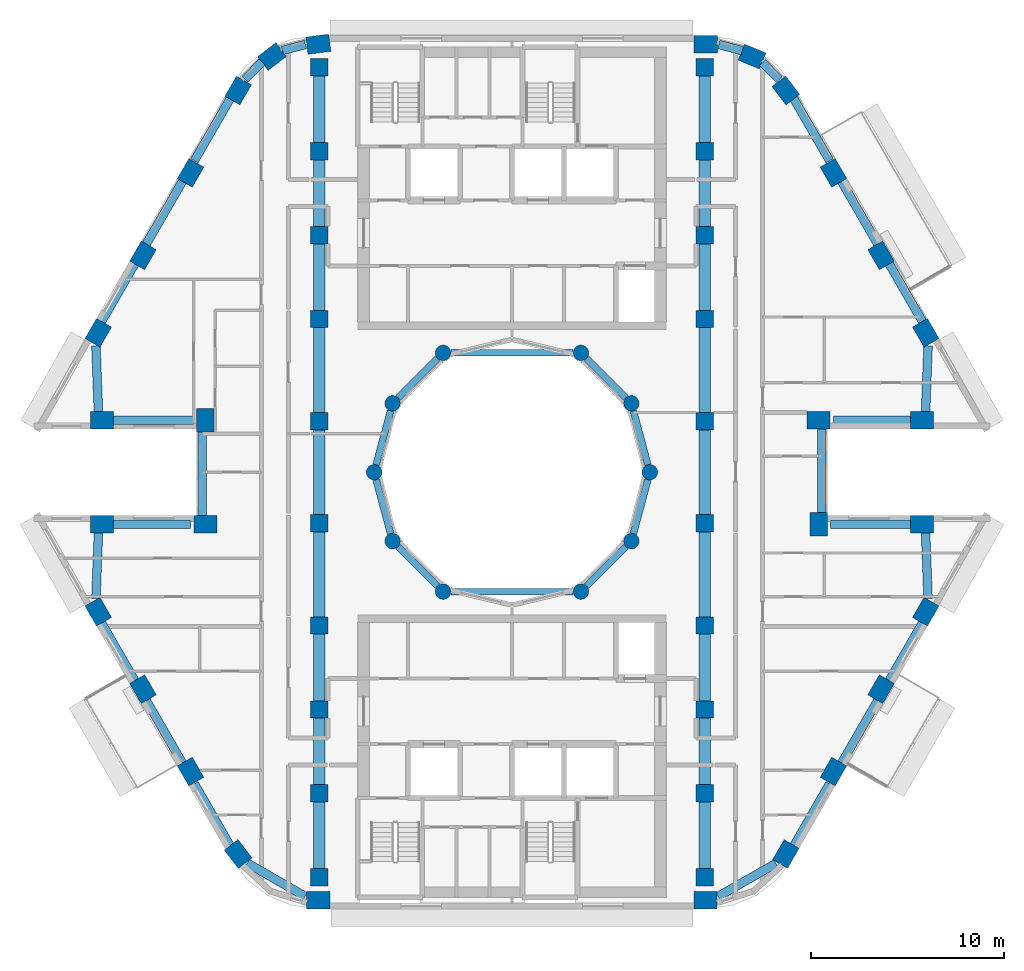
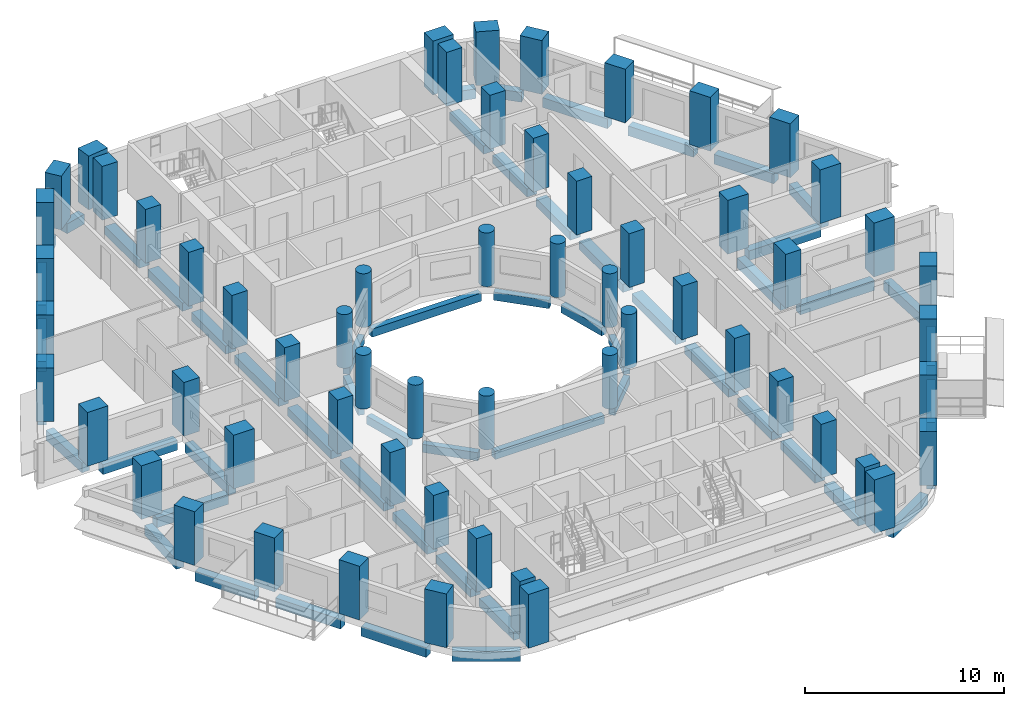
# One storey, part 1 of 18: 60 columns, 56 beams.
"""IFC4 building model written with IfcOpenShell, lengths in metres."""

import ifcopenshell
import ifcopenshell.guid

model = None  # the IFC model being written
_history = None  # IfcOwnerHistory: only IFC2X3 demands one
_inside = {}  # id of a spatial element -> (the spatial element, [elements in it])
_under = {}  # id of a project, library or spatial element -> (it, [spatial elements below it])
_declared = {}  # id of a project -> (the project, [libraries it declares])
_typed = {}  # id of a type object -> (the type object, [elements of that type])
_made_of = {}  # id of a material, layer set ... -> (it, [elements and type objects made of it])


def new_model(schema):
    """Start an empty IFC model of exactly this schema.

    Asked for "IFC4X3", IfcOpenShell would pick the latest addendum, in which some entities
    have other attributes; the version numbers below select the first issue.
    IFC2X3 requires an IfcOwnerHistory on every rooted entity: one is made here for all.
    """
    global model, _history
    if schema == "IFC4X3":
        model = ifcopenshell.file(schema_version=(4, 3, 0, 0))
    else:
        model = ifcopenshell.file(schema=schema)
    _inside.clear()
    _under.clear()
    _declared.clear()
    _typed.clear()
    _made_of.clear()
    _history = None
    if model.schema == "IFC2X3":
        org = make("IfcOrganization", Name="unknown")
        user = make(
            "IfcPersonAndOrganization",
            ThePerson=make("IfcPerson", FamilyName="unknown"),
            TheOrganization=org,
        )
        app = make(
            "IfcApplication",
            ApplicationDeveloper=org,
            Version="unknown",
            ApplicationFullName="unknown",
            ApplicationIdentifier="unknown",
        )
        _history = make(
            "IfcOwnerHistory",
            OwningUser=user,
            OwningApplication=app,
            ChangeAction="ADDED",
            CreationDate=0,
        )
    return model


def make(cls, **values):
    """One entity of the class cls with the attributes given. An attribute that is None is left unset."""
    return model.create_entity(
        cls, **{name: value for name, value in values.items() if value is not None}
    )


def rooted(cls, **values):
    """An entity with a GlobalId (a new one), such as an element, a storey or a relation."""
    return make(cls, GlobalId=ifcopenshell.guid.new(), OwnerHistory=_history, **values)


def si_unit(unit_type, name, prefix=None):
    """IfcSIUnit, for example si_unit("LENGTHUNIT", "METRE", prefix="MILLI")."""
    return make("IfcSIUnit", UnitType=unit_type, Prefix=prefix, Name=name)


def assignment(units):
    """IfcUnitAssignment: the units of a project."""
    return None if units is None else make("IfcUnitAssignment", Units=units)


def point(xyz):
    """IfcCartesianPoint."""
    return None if xyz is None else make("IfcCartesianPoint", Coordinates=xyz)


def direction(xyz):
    """IfcDirection."""
    return None if xyz is None else make("IfcDirection", DirectionRatios=xyz)


def frame(location, z_axis=None, x_axis=None):
    """IfcAxis2Placement3D, a coordinate frame: its origin and axes. An axis left out is left unset."""
    return make(
        "IfcAxis2Placement3D",
        Location=point(location),
        Axis=direction(z_axis),
        RefDirection=direction(x_axis),
    )


def frame_2d(location, x_axis=None):
    """IfcAxis2Placement2D, a coordinate frame in the plane: its origin and x axis."""
    return make(
        "IfcAxis2Placement2D", Location=point(location), RefDirection=direction(x_axis)
    )


def origin():
    """The frame at (0, 0, 0) with its axes left unset."""
    return frame((0.0, 0.0, 0.0))


def origin_2d():
    """The frame at (0, 0) in the plane with its x axis left unset."""
    return frame_2d((0.0, 0.0))


def place(relative_to, where):
    """IfcLocalPlacement: puts the frame where relative to a parent placement (None: the world)."""
    return make(
        "IfcLocalPlacement", PlacementRelTo=relative_to, RelativePlacement=where
    )


def context(
    kind, dimensions, precision=None, world=None, true_north=None, identifier=None
):
    """IfcGeometricRepresentationContext, for example the 3D "Model" context."""
    return make(
        "IfcGeometricRepresentationContext",
        ContextIdentifier=identifier,
        ContextType=kind,
        CoordinateSpaceDimension=dimensions,
        Precision=precision,
        WorldCoordinateSystem=world,
        TrueNorth=true_north,
    )


def subcontext(parent, identifier, kind, view, scale=None):
    """IfcGeometricRepresentationSubContext, for example "Body" below "Model"."""
    return make(
        "IfcGeometricRepresentationSubContext",
        ContextIdentifier=identifier,
        ContextType=kind,
        ParentContext=parent,
        TargetScale=scale,
        TargetView=view,
    )


def project(units=None, contexts=None):
    """IfcProject with its units and contexts."""
    return rooted(
        "IfcProject",
        Name="project",
        RepresentationContexts=contexts,
        UnitsInContext=assignment(units),
    )


def spatial(cls, under=None, at=None, **own):
    """A site, building, storey or space (cls), placed at a placement, below another one or the project."""
    s = rooted(cls, ObjectPlacement=at, **own)
    if under is not None:
        _under.setdefault(under.id(), (under, []))[1].append(s)
    return s


def profile(cls, at=None, kind="AREA", **sizes):
    """A parametric profile (cls). Its sizes go by their IFC names, for example OverallWidth=200.0."""
    return make(cls, ProfileType=kind, Position=at, **sizes)


def rectangle(**sizes):
    """IfcRectangleProfileDef."""
    return profile("IfcRectangleProfileDef", **sizes)


def circle(**sizes):
    """IfcCircleProfileDef."""
    return profile("IfcCircleProfileDef", **sizes)


def extrude(swept, where, along, depth):
    """IfcExtrudedAreaSolid: the profile swept, set in the frame where, extruded along a direction by depth."""
    return make(
        "IfcExtrudedAreaSolid",
        SweptArea=swept,
        Position=where,
        ExtrudedDirection=direction(along),
        Depth=depth,
    )


def shape(context_of_items, identifier, shape_type, items):
    """IfcShapeRepresentation: the items that make up one representation, for example the "Body"."""
    return make(
        "IfcShapeRepresentation",
        ContextOfItems=context_of_items,
        RepresentationIdentifier=identifier,
        RepresentationType=shape_type,
        Items=items,
    )


def material(Name=None, Category=None):
    """IfcMaterial."""
    return make("IfcMaterial", Name=Name, Category=Category)


def material_profile(
    of_material, cross_section, Name=None, Category=None, Priority=None
):
    """IfcMaterialProfile: a cross section and its material."""
    return make(
        "IfcMaterialProfile",
        Name=Name,
        Material=of_material,
        Profile=cross_section,
        Priority=Priority,
        Category=Category,
    )


def profile_set(profiles, Name=None, composite=None):
    """IfcMaterialProfileSet."""
    return make(
        "IfcMaterialProfileSet",
        Name=Name,
        MaterialProfiles=profiles,
        CompositeProfile=composite,
    )


def made_of(thing, what):
    """Note that an element or type object is made of a material, layer set ...; save() writes the relation."""
    if what is not None:
        _made_of.setdefault(what.id(), (what, []))[1].append(thing)
    return thing


def type_object(cls, material=None, **own):
    """A type object (cls), such as IfcWallType, which elements share."""
    return made_of(rooted(cls, **own), material)


def element(
    cls,
    number,
    at=None,
    inside=None,
    cuts=None,
    type_object=None,
    material=None,
    context=None,
    identifier="Body",
    shape_type=None,
    held_by="IfcProductDefinitionShape",
    body=None,
    shapes=None,
    **own,
):
    """One element of the class cls, such as IfcWall. Its Tag is "e" and its number.

    at: its placement. inside: the storey or other place that contains it. cuts: it is an
    opening in that element (IfcRelVoidsElement). A single representation is given by context,
    identifier, shape_type and body (its items); several are given by shapes. held_by: the class
    of the entity that holds the representations. save() writes the other relations.
    """
    e = rooted(cls, Tag="e%d" % number, ObjectPlacement=at, **own)
    if body is not None:
        shapes = [shape(context, identifier, shape_type, body)]
    if shapes is not None:
        e.Representation = make(held_by, Representations=shapes)
    if inside is not None:
        _inside.setdefault(inside.id(), (inside, []))[1].append(e)
    if cuts is not None:
        rooted(
            "IfcRelVoidsElement", RelatingBuildingElement=cuts, RelatedOpeningElement=e
        )
    if type_object is not None:
        _typed.setdefault(type_object.id(), (type_object, []))[1].append(e)
    return made_of(e, material)


def aggregate(whole, parts):
    """IfcRelAggregates: a whole, such as a stair, and the parts it consists of."""
    return rooted("IfcRelAggregates", RelatingObject=whole, RelatedObjects=parts)


def save(model, path):
    """Write the relations noted so far, then the file.

    IfcRelAggregates (storeys below a building ...), IfcRelContainedInSpatialStructure (elements
    in a storey), IfcRelDefinesByType, IfcRelAssociatesMaterial and IfcRelDeclares: one each for
    every whole, place, type object, material and project.
    """
    for whole, parts in _under.values():
        aggregate(whole, parts)
    for where, things in _inside.values():
        rooted(
            "IfcRelContainedInSpatialStructure",
            RelatedElements=things,
            RelatingStructure=where,
        )
    for kind, things in _typed.values():
        rooted("IfcRelDefinesByType", RelatedObjects=things, RelatingType=kind)
    for what, things in _made_of.values():
        rooted("IfcRelAssociatesMaterial", RelatedObjects=things, RelatingMaterial=what)
    for by, libraries in _declared.values():
        rooted("IfcRelDeclares", RelatingContext=by, RelatedDefinitions=libraries)
    model.write(path)


model = new_model("IFC4")

# Units and contexts
model_context = context("Model", 3, precision=1e-05, world=origin(), true_north=direction((0.0, 1.0)))
body_context = subcontext(model_context, "Body", "Model", "MODEL_VIEW")
ifc_project = project(units=[si_unit("LENGTHUNIT", "METRE"), si_unit("AREAUNIT", "SQUARE_METRE"), si_unit("VOLUMEUNIT", "CUBIC_METRE"), si_unit("PLANEANGLEUNIT", "RADIAN"), si_unit("MASSUNIT", "GRAM", prefix="KILO")], contexts=[model_context])

# Site, building, storey
site_placement = place(None, origin())
site = spatial("IfcSite", under=ifc_project, at=site_placement, CompositionType="ELEMENT")
building_placement = place(site_placement, origin())
building = spatial("IfcBuilding", under=site, at=building_placement, Name="Nakaniwa Court", CompositionType="ELEMENT")
storey_placement = place(building_placement, frame((0.0, 0.0, 176.699951171875)))
storey = spatial("IfcBuildingStorey", under=building, at=storey_placement, Name="L45", CompositionType="ELEMENT", Elevation=176.699951171875)

# Columns
ifc_material = material(Name="Concrete C80/100", Category="concrete")
ifc_material_profile_1 = material_profile(ifc_material, rectangle(XDim=1.199951171875, YDim=0.89990234375, at=origin_2d()), Name="Concrete C80/100 RC 1200x900 perimeter column")
ifc_profile_set_1 = profile_set([ifc_material_profile_1], Name="Concrete C80/100")
column_type_1 = type_object("IfcColumnType", Name="Concrete C80/100 RC 1200x900 perimeter column", PredefinedType="COLUMN", material=ifc_profile_set_1)
for number, where, z_axis, x_axis, name in (
    (1, (69.95458984375, 102.199951171875, 0.0), (0.0, 0.0, 1.0), (-0.991442583111, -0.130543496177, 0.0), "COLUMN CO-01"),
    (2, (67.552001953125, 101.560302734375, 0.0), (0.0, 0.0, 1.0), (-0.793363965062, -0.608747582288, 0.0), "COLUMN CO-02"),
    (3, (65.796875, 99.799560546875, 0.0), (0.0, 0.0, 1.0), (-0.5, -0.866025403784, 0.0), "COLUMN CO-03"),
    (4, (63.328857421875, 95.524658203125, 0.0), (0.0, 0.0, 1.0), (-0.5, -0.866025403784, 0.0), "COLUMN CO-04"),
    (5, (60.860595703125, 91.249755859375, 0.0), (0.0, 0.0, 1.0), (-0.5, -0.866025403784, 0.0), "COLUMN CO-05"),
    (6, (58.541015625, 87.232177734375, 0.0), (0.0, 0.0, 1.0), (-0.5, -0.866025403784, 0.0), "COLUMN CO-06"),
    (7, (58.736083984375, 82.699951171875, 0.0), (0.0, 0.0, 1.0), (1.0, 0.0, 0.0), "COLUMN CO-08"),
    (8, (64.1005859375, 82.699951171875, 0.0), (0.0, 0.0, 1.0), (0.0, -1.0, 0.0), "COLUMN CO-09"),
    (9, (64.1005859375, 77.300048828125, 0.0), (0.0, 0.0, 1.0), (-1.0, 0.0, 0.0), "COLUMN CO-10"),
    (10, (58.736083984375, 77.300048828125, 0.0), (0.0, 0.0, 1.0), (-1.0, 0.0, 0.0), "COLUMN CO-11"),
    (11, (58.541015625, 72.767822265625, 0.0), (0.0, 0.0, 1.0), (0.5, -0.866025403784, 0.0), "COLUMN CO-13"),
    (12, (60.860595703125, 68.750244140625, 0.0), (0.0, 0.0, 1.0), (0.5, -0.866025403784, 0.0), "COLUMN CO-14"),
    (13, (63.328857421875, 64.475341796875, 0.0), (0.0, 0.0, 1.0), (0.5, -0.866025403784, 0.0), "COLUMN CO-15"),
    (14, (65.796875, 60.200439453125, 0.0), (0.0, 0.0, 1.0), (0.608761429009, -0.793353340291, 0.0), "COLUMN CO-16"),
    (15, (69.95458984375, 57.800048828125, 0.0), (0.0, 0.0, 1.0), (1.0, 0.0, 0.0), "COLUMN CO-17"),
    (16, (90.03955078125, 57.800048828125, 0.0), (0.0, 0.0, 1.0), (1.0, 0.0, 0.0), "COLUMN CO-21"),
    (17, (94.203125, 60.200439453125, 0.0), (0.0, 0.0, 1.0), (0.5, 0.866025403784, 0.0), "COLUMN CO-22"),
    (18, (96.671142578125, 64.475341796875, 0.0), (0.0, 0.0, 1.0), (0.5, 0.866025403784, 0.0), "COLUMN CO-23"),
    (19, (99.139404296875, 68.750244140625, 0.0), (0.0, 0.0, 1.0), (0.5, 0.866025403784, 0.0), "COLUMN CO-24"),
    (20, (101.458984375, 72.767822265625, 0.0), (0.0, 0.0, 1.0), (0.5, 0.866025403784, 0.0), "COLUMN CO-25"),
    (21, (101.263916015625, 77.300048828125, 0.0), (0.0, 0.0, 1.0), (-1.0, 0.0, 0.0), "COLUMN CO-27"),
    (22, (95.8994140625, 77.300048828125, 0.0), (0.0, 0.0, 1.0), (0.0, 1.0, 0.0), "COLUMN CO-28"),
    (23, (95.8994140625, 82.699951171875, 0.0), (0.0, 0.0, 1.0), (1.0, 0.0, 0.0), "COLUMN CO-29"),
    (24, (101.263916015625, 82.699951171875, 0.0), (0.0, 0.0, 1.0), (1.0, 0.0, 0.0), "COLUMN CO-30"),
    (25, (101.458984375, 87.232177734375, 0.0), (0.0, 0.0, 1.0), (-0.5, 0.866025403784, 0.0), "COLUMN CO-32"),
    (26, (99.139404296875, 91.249755859375, 0.0), (0.0, 0.0, 1.0), (-0.5, 0.866025403784, 0.0), "COLUMN CO-33"),
    (27, (96.671142578125, 95.524658203125, 0.0), (0.0, 0.0, 1.0), (-0.5, 0.866025403784, 0.0), "COLUMN CO-34"),
    (28, (94.203125, 99.799560546875, 0.0), (0.0, 0.0, 1.0), (-0.608761429009, 0.793353340291, 0.0), "COLUMN CO-35"),
    (29, (92.447998046875, 101.560302734375, 0.0), (0.0, 0.0, 1.0), (-0.923879532511, 0.382683432365, 0.0), "COLUMN CO-36"),
    (30, (90.04541015625, 102.199951171875, 0.0), (0.0, 0.0, 1.0), (-1.0, 0.0, 0.0), "COLUMN CO-37"),
):
    element("IfcColumn", number, at=place(storey_placement, frame(where, z_axis=z_axis, x_axis=x_axis)), inside=storey, type_object=column_type_1, Name=name, PredefinedType="COLUMN", context=body_context, shape_type="SweptSolid", body=[
        extrude(rectangle(XDim=1.199951171875, YDim=0.89990234375, at=origin_2d()), origin(), (0.0, 0.0, 1.0), 3.300048828125),
    ])
ifc_material_profile_2 = material_profile(ifc_material, rectangle(XDim=0.89990234375, YDim=0.89990234375, at=origin_2d()), Name="Concrete C80/100 RC 900x900 spine column")
ifc_profile_set_2 = profile_set([ifc_material_profile_2], Name="Concrete C80/100")
column_type_2 = type_object("IfcColumnType", Name="Concrete C80/100 RC 900x900 spine column", PredefinedType="COLUMN", material=ifc_profile_set_2)
for number, where, z_axis, x_axis, name in (
    (31, (90.0, 59.0, 0.0), (0.0, 0.0, 1.0), (0.0, 1.0, 0.0), "COLUMN CS-01"),
    (32, (90.0, 63.35009765625, 0.0), (0.0, 0.0, 1.0), (0.0, 1.0, 0.0), "COLUMN CS-02"),
    (33, (90.0, 67.699951171875, 0.0), (0.0, 0.0, 1.0), (0.0, 1.0, 0.0), "COLUMN CS-03"),
    (34, (90.0, 72.050048828125, 0.0), (0.0, 0.0, 1.0), (0.0, 1.0, 0.0), "COLUMN CS-04"),
    (35, (90.0, 77.35009765625, 0.0), (0.0, 0.0, 1.0), (0.0, 1.0, 0.0), "COLUMN CS-05"),
    (36, (90.0, 82.64990234375, 0.0), (0.0, 0.0, 1.0), (0.0, 1.0, 0.0), "COLUMN CS-06"),
    (37, (90.0, 87.949951171875, 0.0), (0.0, 0.0, 1.0), (0.0, 1.0, 0.0), "COLUMN CS-07"),
    (38, (90.0, 92.300048828125, 0.0), (0.0, 0.0, 1.0), (0.0, 1.0, 0.0), "COLUMN CS-08"),
    (39, (90.0, 96.64990234375, 0.0), (0.0, 0.0, 1.0), (0.0, 1.0, 0.0), "COLUMN CS-09"),
    (40, (90.0, 101.0, 0.0), (0.0, 0.0, 1.0), (0.0, 1.0, 0.0), "COLUMN CS-10"),
    (41, (70.0, 101.0, 0.0), (0.0, 0.0, 1.0), (0.0, -1.0, 0.0), "COLUMN CS-11"),
    (42, (70.0, 96.64990234375, 0.0), (0.0, 0.0, 1.0), (0.0, -1.0, 0.0), "COLUMN CS-12"),
    (43, (70.0, 92.300048828125, 0.0), (0.0, 0.0, 1.0), (0.0, -1.0, 0.0), "COLUMN CS-13"),
    (44, (70.0, 87.949951171875, 0.0), (0.0, 0.0, 1.0), (0.0, -1.0, 0.0), "COLUMN CS-14"),
    (45, (70.0, 82.64990234375, 0.0), (0.0, 0.0, 1.0), (0.0, -1.0, 0.0), "COLUMN CS-15"),
    (46, (70.0, 77.35009765625, 0.0), (0.0, 0.0, 1.0), (0.0, -1.0, 0.0), "COLUMN CS-16"),
    (47, (70.0, 72.050048828125, 0.0), (0.0, 0.0, 1.0), (0.0, -1.0, 0.0), "COLUMN CS-17"),
    (48, (70.0, 67.699951171875, 0.0), (0.0, 0.0, 1.0), (0.0, -1.0, 0.0), "COLUMN CS-18"),
    (49, (70.0, 63.35009765625, 0.0), (0.0, 0.0, 1.0), (0.0, -1.0, 0.0), "COLUMN CS-19"),
    (50, (70.0, 59.0, 0.0), (0.0, 0.0, 1.0), (0.0, -1.0, 0.0), "COLUMN CS-20"),
):
    element("IfcColumn", number, at=place(storey_placement, frame(where, z_axis=z_axis, x_axis=x_axis)), inside=storey, type_object=column_type_2, Name=name, PredefinedType="COLUMN", context=body_context, shape_type="SweptSolid", body=[
        extrude(rectangle(XDim=0.89990234375, YDim=0.89990234375, at=origin_2d()), origin(), (0.0, 0.0, 1.0), 3.300048828125),
    ])
ifc_material_profile_3 = material_profile(ifc_material, circle(Radius=0.39990234375, at=origin_2d()), Name="Concrete C80/100 RC D800 inner ring column")
ifc_profile_set_3 = profile_set([ifc_material_profile_3], Name="Concrete C80/100")
column_type_3 = type_object("IfcColumnType", Name="Concrete C80/100 RC D800 inner ring column", PredefinedType="COLUMN", material=ifc_profile_set_3)
for number, where, z_axis, x_axis, name in (
    (51, (87.14990234375, 80.0, 0.0), (0.0, 0.0, 1.0), (0.0, 1.0, 0.0), "COLUMN CI-01"),
    (52, (86.192138671875, 83.574951171875, 0.0), (0.0, 0.0, 1.0), (-0.5, 0.866025403784, 0.0), "COLUMN CI-02"),
    (53, (83.574951171875, 86.192138671875, 0.0), (0.0, 0.0, 1.0), (-0.866025403784, 0.5, 0.0), "COLUMN CI-03"),
    (54, (76.425048828125, 86.192138671875, 0.0), (0.0, 0.0, 1.0), (-0.866025403784, -0.5, 0.0), "COLUMN CI-05"),
    (55, (73.807861328125, 83.574951171875, 0.0), (0.0, 0.0, 1.0), (-0.5, -0.866025403784, 0.0), "COLUMN CI-06"),
    (56, (72.85009765625, 80.0, 0.0), (0.0, 0.0, 1.0), (0.0, -1.0, 0.0), "COLUMN CI-07"),
    (57, (73.807861328125, 76.425048828125, 0.0), (0.0, 0.0, 1.0), (0.5, -0.866025403784, 0.0), "COLUMN CI-08"),
    (58, (76.425048828125, 73.807861328125, 0.0), (0.0, 0.0, 1.0), (0.866025403784, -0.5, 0.0), "COLUMN CI-09"),
    (59, (83.574951171875, 73.807861328125, 0.0), (0.0, 0.0, 1.0), (0.866025403784, 0.5, 0.0), "COLUMN CI-11"),
    (60, (86.192138671875, 76.425048828125, 0.0), (0.0, 0.0, 1.0), (0.5, 0.866025403784, 0.0), "COLUMN CI-12"),
):
    element("IfcColumn", number, at=place(storey_placement, frame(where, z_axis=z_axis, x_axis=x_axis)), inside=storey, type_object=column_type_3, Name=name, PredefinedType="COLUMN", context=body_context, shape_type="SweptSolid", body=[
        extrude(circle(Radius=0.39990234375, at=origin_2d()), origin(), (0.0, 0.0, 1.0), 3.300048828125),
    ])

# Beams
ifc_material_profile_4 = material_profile(ifc_material, rectangle(XDim=0.35009765625, YDim=0.5, at=origin_2d()), Name="Concrete C80/100 RC 350x500 ring beam")
ifc_profile_set_4 = profile_set([ifc_material_profile_4], Name="Concrete C80/100")
beam_type_1 = type_object("IfcBeamType", Name="Concrete C80/100 RC 350x500 ring beam", PredefinedType="BEAM", material=ifc_profile_set_4)
beam_1_placement = place(storey_placement, frame((87.04638671875, 80.386474609375, -0.659912109375), z_axis=(-0.258778150207, 0.965936783115, 0.0), x_axis=(-0.965936783115, -0.258778150207, 0.0)))
element("IfcBeam", 61, at=beam_1_placement, inside=storey, type_object=beam_type_1, Name="RING BEAM", PredefinedType="BEAM", context=body_context, shape_type="SweptSolid", body=[
    extrude(rectangle(XDim=0.35009765625, YDim=0.5, at=origin_2d()), origin(), (0.0, 0.0, 1.0), 2.901123046875),
])
beam_2_placement = place(storey_placement, frame((85.9091796875, 83.85791015625, -0.659912109375), z_axis=(-0.707106781187, 0.707106781187, 0.0), x_axis=(-0.707106781187, -0.707106781187, 0.0)))
element("IfcBeam", 62, at=beam_2_placement, inside=storey, type_object=beam_type_1, Name="RING BEAM", PredefinedType="BEAM", context=body_context, shape_type="SweptSolid", body=[
    extrude(rectangle(XDim=0.35009765625, YDim=0.5, at=origin_2d()), origin(), (0.0, 0.0, 1.0), 2.90087890625),
])
beam_3_placement = place(storey_placement, frame((83.175048828125, 86.192138671875, -0.659912109375), z_axis=(-1.0, 0.0, 0.0), x_axis=(0.0, -1.0, 0.0)))
element("IfcBeam", 63, at=beam_3_placement, inside=storey, type_object=beam_type_1, Name="RING BEAM", PredefinedType="BEAM", context=body_context, shape_type="SweptSolid", body=[
    extrude(rectangle(XDim=0.35009765625, YDim=0.5, at=origin_2d()), origin(), (0.0, 0.0, 1.0), 6.35009765625),
])
beam_4_placement = place(storey_placement, frame((76.14208984375, 85.9091796875, -0.659912109375), z_axis=(-0.707106781187, -0.707106781187, 0.0), x_axis=(0.707106781187, -0.707106781187, 0.0)))
element("IfcBeam", 64, at=beam_4_placement, inside=storey, type_object=beam_type_1, Name="RING BEAM", PredefinedType="BEAM", context=body_context, shape_type="SweptSolid", body=[
    extrude(rectangle(XDim=0.35009765625, YDim=0.5, at=origin_2d()), origin(), (0.0, 0.0, 1.0), 2.90087890625),
])
for number, where, z_axis, x_axis, name in (
    (65, (73.704345703125, 83.188720703125, -0.659912109375), (-0.258778150207, -0.965936783115, 0.0), (0.965936783115, -0.258778150207, 0.0), "RING BEAM"),
    (66, (72.95361328125, 79.613525390625, -0.659912109375), (0.258778150207, -0.965936783115, 0.0), (0.965936783115, 0.258778150207, 0.0), "RING BEAM"),
):
    element("IfcBeam", number, at=place(storey_placement, frame(where, z_axis=z_axis, x_axis=x_axis)), inside=storey, type_object=beam_type_1, Name=name, PredefinedType="BEAM", context=body_context, shape_type="SweptSolid", body=[
        extrude(rectangle(XDim=0.35009765625, YDim=0.5, at=origin_2d()), origin(), (0.0, 0.0, 1.0), 2.901123046875),
    ])
beam_5_placement = place(storey_placement, frame((74.0908203125, 76.14208984375, -0.659912109375), z_axis=(0.707106781187, -0.707106781187, 0.0), x_axis=(0.707106781187, 0.707106781187, 0.0)))
element("IfcBeam", 67, at=beam_5_placement, inside=storey, type_object=beam_type_1, Name="RING BEAM", PredefinedType="BEAM", context=body_context, shape_type="SweptSolid", body=[
    extrude(rectangle(XDim=0.35009765625, YDim=0.5, at=origin_2d()), origin(), (0.0, 0.0, 1.0), 2.90087890625),
])
beam_6_placement = place(storey_placement, frame((76.824951171875, 73.807861328125, -0.659912109375), z_axis=(1.0, 0.0, 0.0), x_axis=(0.0, 1.0, 0.0)))
element("IfcBeam", 68, at=beam_6_placement, inside=storey, type_object=beam_type_1, Name="RING BEAM", PredefinedType="BEAM", context=body_context, shape_type="SweptSolid", body=[
    extrude(rectangle(XDim=0.35009765625, YDim=0.5, at=origin_2d()), origin(), (0.0, 0.0, 1.0), 6.35009765625),
])
beam_7_placement = place(storey_placement, frame((83.85791015625, 74.0908203125, -0.659912109375), z_axis=(0.707106781187, 0.707106781187, 0.0), x_axis=(-0.707106781187, 0.707106781187, 0.0)))
element("IfcBeam", 69, at=beam_7_placement, inside=storey, type_object=beam_type_1, Name="RING BEAM", PredefinedType="BEAM", context=body_context, shape_type="SweptSolid", body=[
    extrude(rectangle(XDim=0.35009765625, YDim=0.5, at=origin_2d()), origin(), (0.0, 0.0, 1.0), 2.90087890625),
])
beam_8_placement = place(storey_placement, frame((86.295654296875, 76.811279296875, -0.659912109375), z_axis=(0.258778150207, 0.965936783115, 0.0), x_axis=(-0.965936783115, 0.258778150207, 0.0)))
element("IfcBeam", 70, at=beam_8_placement, inside=storey, type_object=beam_type_1, Name="RING BEAM", PredefinedType="BEAM", context=body_context, shape_type="SweptSolid", body=[
    extrude(rectangle(XDim=0.35009765625, YDim=0.5, at=origin_2d()), origin(), (0.0, 0.0, 1.0), 2.901123046875),
])
ifc_material_profile_5 = material_profile(ifc_material, rectangle(XDim=0.449951171875, YDim=0.60009765625, at=origin_2d()), Name="Concrete C80/100 RC 450x600 spandrel beam")
ifc_profile_set_5 = profile_set([ifc_material_profile_5], Name="Concrete C80/100")
beam_type_2 = type_object("IfcBeamType", Name="Concrete C80/100 RC 450x600 spandrel beam", PredefinedType="BEAM", material=ifc_profile_set_5)
beam_9_placement = place(storey_placement, frame((69.2861328125, 102.189697265625, -0.7099609375), z_axis=(-0.966320442624, -0.257341800272, 0.0), x_axis=(0.257341800272, -0.966320442624, 0.0)))
element("IfcBeam", 71, at=beam_9_placement, inside=storey, type_object=beam_type_2, Name="SPANDREL BEAM", PredefinedType="BEAM", context=body_context, shape_type="SweptSolid", body=[
    extrude(rectangle(XDim=0.449951171875, YDim=0.60009765625, at=origin_2d()), origin(), (0.0, 0.0, 1.0), 1.2314453125),
])
beam_10_placement = place(storey_placement, frame((67.041015625, 101.27685546875, -0.7099609375), z_axis=(-0.706040330053, -0.70817162633, 0.0), x_axis=(0.70817162633, -0.706040330053, 0.0)))
element("IfcBeam", 72, at=beam_10_placement, inside=storey, type_object=beam_type_2, Name="SPANDREL BEAM", PredefinedType="BEAM", context=body_context, shape_type="SweptSolid", body=[
    extrude(rectangle(XDim=0.449951171875, YDim=0.60009765625, at=origin_2d()), origin(), (0.0, 0.0, 1.0), 1.260009765625),
])
beam_11_placement = place(storey_placement, frame((65.4130859375, 99.425048828125, -0.7099609375), z_axis=(-0.500017044245, -0.866015563061, 0.0), x_axis=(0.866015563061, -0.500017044245, 0.0)))
element("IfcBeam", 73, at=beam_11_placement, inside=storey, type_object=beam_type_2, Name="SPANDREL BEAM", PredefinedType="BEAM", context=body_context, shape_type="SweptSolid", body=[
    extrude(rectangle(XDim=0.449951171875, YDim=0.60009765625, at=origin_2d()), origin(), (0.0, 0.0, 1.0), 3.778076171875),
])
beam_12_placement = place(storey_placement, frame((62.924072265625, 95.114013671875, -0.7099609375), z_axis=(-0.499989064333, -0.866031717402, 0.0), x_axis=(0.866031717402, -0.499989064333, 0.0)))
element("IfcBeam", 74, at=beam_12_placement, inside=storey, type_object=beam_type_2, Name="SPANDREL BEAM", PredefinedType="BEAM", context=body_context, shape_type="SweptSolid", body=[
    extrude(rectangle(XDim=0.449951171875, YDim=0.60009765625, at=origin_2d()), origin(), (0.0, 0.0, 1.0), 3.7783203125),
])
beam_13_placement = place(storey_placement, frame((60.434814453125, 90.802734375, -0.7099609375), z_axis=(-0.4999936287, -0.866029082225, 0.0), x_axis=(0.866029082225, -0.4999936287, 0.0)))
element("IfcBeam", 75, at=beam_13_placement, inside=storey, type_object=beam_type_2, Name="SPANDREL BEAM", PredefinedType="BEAM", context=body_context, shape_type="SweptSolid", body=[
    extrude(rectangle(XDim=0.449951171875, YDim=0.60009765625, at=origin_2d()), origin(), (0.0, 0.0, 1.0), 3.48095703125),
])
beam_14_placement = place(storey_placement, frame((58.42138671875, 86.56005859375, -0.7099609375), z_axis=(0.038059461151, -0.999275476241, 0.0), x_axis=(0.999275476241, 0.038059461151, 0.0)))
element("IfcBeam", 76, at=beam_14_placement, inside=storey, type_object=beam_type_2, Name="SPANDREL BEAM", PredefinedType="BEAM", context=body_context, shape_type="SweptSolid", body=[
    extrude(rectangle(XDim=0.449951171875, YDim=0.60009765625, at=origin_2d()), origin(), (0.0, 0.0, 1.0), 3.41259765625),
])
beam_15_placement = place(storey_placement, frame((59.168212890625, 82.699951171875, -0.7099609375), z_axis=(1.0, 0.0, 0.0), x_axis=(0.0, 1.0, 0.0)))
element("IfcBeam", 77, at=beam_15_placement, inside=storey, type_object=beam_type_2, Name="SPANDREL BEAM", PredefinedType="BEAM", context=body_context, shape_type="SweptSolid", body=[
    extrude(rectangle(XDim=0.449951171875, YDim=0.60009765625, at=origin_2d()), origin(), (0.0, 0.0, 1.0), 4.314697265625),
])
beam_16_placement = place(storey_placement, frame((63.932861328125, 82.10009765625, -0.7099609375), z_axis=(0.0, -1.0, 0.0), x_axis=(1.0, 0.0, 0.0)))
element("IfcBeam", 78, at=beam_16_placement, inside=storey, type_object=beam_type_2, Name="SPANDREL BEAM", PredefinedType="BEAM", context=body_context, shape_type="SweptSolid", body=[
    extrude(rectangle(XDim=0.449951171875, YDim=0.60009765625, at=origin_2d()), origin(), (0.0, 0.0, 1.0), 4.35009765625),
])
beam_17_placement = place(storey_placement, frame((63.332763671875, 77.300048828125, -0.7099609375), z_axis=(-1.0, 0.0, 0.0), x_axis=(0.0, -1.0, 0.0)))
element("IfcBeam", 79, at=beam_17_placement, inside=storey, type_object=beam_type_2, Name="SPANDREL BEAM", PredefinedType="BEAM", context=body_context, shape_type="SweptSolid", body=[
    extrude(rectangle(XDim=0.449951171875, YDim=0.60009765625, at=origin_2d()), origin(), (0.0, 0.0, 1.0), 4.16455078125),
])
beam_18_placement = place(storey_placement, frame((58.55126953125, 76.85009765625, -0.7099609375), z_axis=(-0.038059461151, -0.999275476241, 0.0), x_axis=(0.999275476241, -0.038059461151, 0.0)))
element("IfcBeam", 80, at=beam_18_placement, inside=storey, type_object=beam_type_2, Name="SPANDREL BEAM", PredefinedType="BEAM", context=body_context, shape_type="SweptSolid", body=[
    extrude(rectangle(XDim=0.449951171875, YDim=0.60009765625, at=origin_2d()), origin(), (0.0, 0.0, 1.0), 3.41259765625),
])
beam_19_placement = place(storey_placement, frame((58.6943359375, 72.2119140625, -0.7099609375), z_axis=(0.4999936287, -0.866029082225, 0.0), x_axis=(0.866029082225, 0.4999936287, 0.0)))
element("IfcBeam", 81, at=beam_19_placement, inside=storey, type_object=beam_type_2, Name="SPANDREL BEAM", PredefinedType="BEAM", context=body_context, shape_type="SweptSolid", body=[
    extrude(rectangle(XDim=0.449951171875, YDim=0.60009765625, at=origin_2d()), origin(), (0.0, 0.0, 1.0), 3.48095703125),
])
beam_20_placement = place(storey_placement, frame((61.034912109375, 68.158203125, -0.7099609375), z_axis=(0.499989064333, -0.866031717402, 0.0), x_axis=(0.866031717402, 0.499989064333, 0.0)))
element("IfcBeam", 82, at=beam_20_placement, inside=storey, type_object=beam_type_2, Name="SPANDREL BEAM", PredefinedType="BEAM", context=body_context, shape_type="SweptSolid", body=[
    extrude(rectangle(XDim=0.449951171875, YDim=0.60009765625, at=origin_2d()), origin(), (0.0, 0.0, 1.0), 3.7783203125),
])
beam_21_placement = place(storey_placement, frame((63.52392578125, 63.846923828125, -0.7099609375), z_axis=(0.499987576152, -0.866032576578, 0.0), x_axis=(0.866032576578, 0.499987576152, 0.0)))
element("IfcBeam", 83, at=beam_21_placement, inside=storey, type_object=beam_type_2, Name="SPANDREL BEAM", PredefinedType="BEAM", context=body_context, shape_type="SweptSolid", body=[
    extrude(rectangle(XDim=0.449951171875, YDim=0.60009765625, at=origin_2d()), origin(), (0.0, 0.0, 1.0), 3.77294921875),
])
beam_22_placement = place(storey_placement, frame((66.275390625, 59.73046875, -0.7099609375), z_axis=(0.866058648958, -0.499942413249, 0.0), x_axis=(0.499942413249, 0.866058648958, 0.0)))
element("IfcBeam", 84, at=beam_22_placement, inside=storey, type_object=beam_type_2, Name="SPANDREL BEAM", PredefinedType="BEAM", context=body_context, shape_type="SweptSolid", body=[
    extrude(rectangle(XDim=0.449951171875, YDim=0.60009765625, at=origin_2d()), origin(), (0.0, 0.0, 1.0), 3.458984375),
])
beam_23_placement = place(storey_placement, frame((90.689697265625, 57.997802734375, -0.7099609375), z_axis=(0.868047083944, 0.496481882908, 0.0), x_axis=(-0.496481882908, 0.868047083944, 0.0)))
element("IfcBeam", 85, at=beam_23_placement, inside=storey, type_object=beam_type_2, Name="SPANDREL BEAM", PredefinedType="BEAM", context=body_context, shape_type="SweptSolid", body=[
    extrude(rectangle(XDim=0.449951171875, YDim=0.60009765625, at=origin_2d()), origin(), (0.0, 0.0, 1.0), 3.449462890625),
])
beam_24_placement = place(storey_placement, frame((94.5869140625, 60.574951171875, -0.7099609375), z_axis=(0.500017044245, 0.866015563061, 0.0), x_axis=(-0.866015563061, 0.500017044245, 0.0)))
element("IfcBeam", 86, at=beam_24_placement, inside=storey, type_object=beam_type_2, Name="SPANDREL BEAM", PredefinedType="BEAM", context=body_context, shape_type="SweptSolid", body=[
    extrude(rectangle(XDim=0.449951171875, YDim=0.60009765625, at=origin_2d()), origin(), (0.0, 0.0, 1.0), 3.778076171875),
])
beam_25_placement = place(storey_placement, frame((97.075927734375, 64.885986328125, -0.7099609375), z_axis=(0.499989064333, 0.866031717402, 0.0), x_axis=(-0.866031717402, 0.499989064333, 0.0)))
element("IfcBeam", 87, at=beam_25_placement, inside=storey, type_object=beam_type_2, Name="SPANDREL BEAM", PredefinedType="BEAM", context=body_context, shape_type="SweptSolid", body=[
    extrude(rectangle(XDim=0.449951171875, YDim=0.60009765625, at=origin_2d()), origin(), (0.0, 0.0, 1.0), 3.7783203125),
])
beam_26_placement = place(storey_placement, frame((99.565185546875, 69.197265625, -0.7099609375), z_axis=(0.4999936287, 0.866029082225, 0.0), x_axis=(-0.866029082225, 0.4999936287, 0.0)))
element("IfcBeam", 88, at=beam_26_placement, inside=storey, type_object=beam_type_2, Name="SPANDREL BEAM", PredefinedType="BEAM", context=body_context, shape_type="SweptSolid", body=[
    extrude(rectangle(XDim=0.449951171875, YDim=0.60009765625, at=origin_2d()), origin(), (0.0, 0.0, 1.0), 3.48095703125),
])
beam_27_placement = place(storey_placement, frame((101.57861328125, 73.43994140625, -0.7099609375), z_axis=(-0.038059461151, 0.999275476241, 0.0), x_axis=(-0.999275476241, -0.038059461151, 0.0)))
element("IfcBeam", 89, at=beam_27_placement, inside=storey, type_object=beam_type_2, Name="SPANDREL BEAM", PredefinedType="BEAM", context=body_context, shape_type="SweptSolid", body=[
    extrude(rectangle(XDim=0.449951171875, YDim=0.60009765625, at=origin_2d()), origin(), (0.0, 0.0, 1.0), 3.41259765625),
])
beam_28_placement = place(storey_placement, frame((100.831787109375, 77.300048828125, -0.7099609375), z_axis=(-1.0, 0.0, 0.0), x_axis=(0.0, -1.0, 0.0)))
element("IfcBeam", 90, at=beam_28_placement, inside=storey, type_object=beam_type_2, Name="SPANDREL BEAM", PredefinedType="BEAM", context=body_context, shape_type="SweptSolid", body=[
    extrude(rectangle(XDim=0.449951171875, YDim=0.60009765625, at=origin_2d()), origin(), (0.0, 0.0, 1.0), 4.314697265625),
])
beam_29_placement = place(storey_placement, frame((96.067138671875, 77.89990234375, -0.7099609375), z_axis=(0.0, 1.0, 0.0), x_axis=(-1.0, 0.0, 0.0)))
element("IfcBeam", 91, at=beam_29_placement, inside=storey, type_object=beam_type_2, Name="SPANDREL BEAM", PredefinedType="BEAM", context=body_context, shape_type="SweptSolid", body=[
    extrude(rectangle(XDim=0.449951171875, YDim=0.60009765625, at=origin_2d()), origin(), (0.0, 0.0, 1.0), 4.35009765625),
])
beam_30_placement = place(storey_placement, frame((96.667236328125, 82.699951171875, -0.7099609375), z_axis=(1.0, 0.0, 0.0), x_axis=(0.0, 1.0, 0.0)))
element("IfcBeam", 92, at=beam_30_placement, inside=storey, type_object=beam_type_2, Name="SPANDREL BEAM", PredefinedType="BEAM", context=body_context, shape_type="SweptSolid", body=[
    extrude(rectangle(XDim=0.449951171875, YDim=0.60009765625, at=origin_2d()), origin(), (0.0, 0.0, 1.0), 4.16455078125),
])
beam_31_placement = place(storey_placement, frame((101.44873046875, 83.14990234375, -0.7099609375), z_axis=(0.038059461151, 0.999275476241, 0.0), x_axis=(-0.999275476241, 0.038059461151, 0.0)))
element("IfcBeam", 93, at=beam_31_placement, inside=storey, type_object=beam_type_2, Name="SPANDREL BEAM", PredefinedType="BEAM", context=body_context, shape_type="SweptSolid", body=[
    extrude(rectangle(XDim=0.449951171875, YDim=0.60009765625, at=origin_2d()), origin(), (0.0, 0.0, 1.0), 3.41259765625),
])
beam_32_placement = place(storey_placement, frame((101.3056640625, 87.7880859375, -0.7099609375), z_axis=(-0.4999936287, 0.866029082225, 0.0), x_axis=(-0.866029082225, -0.4999936287, 0.0)))
element("IfcBeam", 94, at=beam_32_placement, inside=storey, type_object=beam_type_2, Name="SPANDREL BEAM", PredefinedType="BEAM", context=body_context, shape_type="SweptSolid", body=[
    extrude(rectangle(XDim=0.449951171875, YDim=0.60009765625, at=origin_2d()), origin(), (0.0, 0.0, 1.0), 3.48095703125),
])
beam_33_placement = place(storey_placement, frame((98.965087890625, 91.841796875, -0.7099609375), z_axis=(-0.499989064333, 0.866031717402, 0.0), x_axis=(-0.866031717402, -0.499989064333, 0.0)))
element("IfcBeam", 95, at=beam_33_placement, inside=storey, type_object=beam_type_2, Name="SPANDREL BEAM", PredefinedType="BEAM", context=body_context, shape_type="SweptSolid", body=[
    extrude(rectangle(XDim=0.449951171875, YDim=0.60009765625, at=origin_2d()), origin(), (0.0, 0.0, 1.0), 3.7783203125),
])
beam_34_placement = place(storey_placement, frame((96.47607421875, 96.153076171875, -0.7099609375), z_axis=(-0.499987576152, 0.866032576578, 0.0), x_axis=(-0.866032576578, -0.499987576152, 0.0)))
element("IfcBeam", 96, at=beam_34_placement, inside=storey, type_object=beam_type_2, Name="SPANDREL BEAM", PredefinedType="BEAM", context=body_context, shape_type="SweptSolid", body=[
    extrude(rectangle(XDim=0.449951171875, YDim=0.60009765625, at=origin_2d()), origin(), (0.0, 0.0, 1.0), 3.77294921875),
])
beam_35_placement = place(storey_placement, frame((93.85986328125, 100.373291015625, -0.7099609375), z_axis=(-0.706114630579, 0.708097541644, 0.0), x_axis=(-0.708097541644, -0.706114630579, 0.0)))
element("IfcBeam", 97, at=beam_35_placement, inside=storey, type_object=beam_type_2, Name="SPANDREL BEAM", PredefinedType="BEAM", context=body_context, shape_type="SweptSolid", body=[
    extrude(rectangle(XDim=0.449951171875, YDim=0.60009765625, at=origin_2d()), origin(), (0.0, 0.0, 1.0), 1.231201171875),
])
beam_36_placement = place(storey_placement, frame((91.94677734375, 101.861083984375, -0.7099609375), z_axis=(-0.966289578249, 0.257457668302, 0.0), x_axis=(-0.257457668302, -0.966289578249, 0.0)))
element("IfcBeam", 98, at=beam_36_placement, inside=storey, type_object=beam_type_2, Name="SPANDREL BEAM", PredefinedType="BEAM", context=body_context, shape_type="SweptSolid", body=[
    extrude(rectangle(XDim=0.449951171875, YDim=0.60009765625, at=origin_2d()), origin(), (0.0, 0.0, 1.0), 1.26025390625),
])
ifc_material_profile_6 = material_profile(ifc_material, rectangle(XDim=0.60009765625, YDim=0.5, at=origin_2d()), Name="Concrete C80/100 RC 600x500 ring beam")
ifc_profile_set_6 = profile_set([ifc_material_profile_6], Name="Concrete C80/100")
beam_type_3 = type_object("IfcBeamType", Name="Concrete C80/100 RC 600x500 ring beam", PredefinedType="BEAM", material=ifc_profile_set_6)
for number, where, z_axis, x_axis, name in (
    (99, (90.0, 59.449951171875, -0.659912109375), (0.0, 1.0, 0.0), (-1.0, 0.0, 0.0), "RING BEAM"),
    (100, (90.0, 63.800048828125, -0.659912109375), (0.0, 1.0, 0.0), (-1.0, 0.0, 0.0), "RING BEAM"),
):
    element("IfcBeam", number, at=place(storey_placement, frame(where, z_axis=z_axis, x_axis=x_axis)), inside=storey, type_object=beam_type_3, Name=name, PredefinedType="BEAM", context=body_context, shape_type="SweptSolid", body=[
        extrude(rectangle(XDim=0.60009765625, YDim=0.5, at=origin_2d()), origin(), (0.0, 0.0, 1.0), 3.449951171875),
    ])
beam_37_placement = place(storey_placement, frame((90.0, 68.14990234375, -0.659912109375), z_axis=(0.0, 1.0, 0.0), x_axis=(-1.0, 0.0, 0.0)))
element("IfcBeam", 101, at=beam_37_placement, inside=storey, type_object=beam_type_3, Name="RING BEAM", PredefinedType="BEAM", context=body_context, shape_type="SweptSolid", body=[
    extrude(rectangle(XDim=0.60009765625, YDim=0.5, at=origin_2d()), origin(), (0.0, 0.0, 1.0), 3.4501953125),
])
for number, where, z_axis, x_axis, name in (
    (102, (90.0, 72.5, -0.659912109375), (0.0, 1.0, 0.0), (-1.0, 0.0, 0.0), "RING BEAM"),
    (103, (90.0, 77.800048828125, -0.659912109375), (0.0, 1.0, 0.0), (-1.0, 0.0, 0.0), "RING BEAM"),
    (104, (90.0, 83.10009765625, -0.659912109375), (0.0, 1.0, 0.0), (-1.0, 0.0, 0.0), "RING BEAM"),
):
    element("IfcBeam", number, at=place(storey_placement, frame(where, z_axis=z_axis, x_axis=x_axis)), inside=storey, type_object=beam_type_3, Name=name, PredefinedType="BEAM", context=body_context, shape_type="SweptSolid", body=[
        extrude(rectangle(XDim=0.60009765625, YDim=0.5, at=origin_2d()), origin(), (0.0, 0.0, 1.0), 4.39990234375),
    ])
beam_38_placement = place(storey_placement, frame((90.0, 88.39990234375, -0.659912109375), z_axis=(0.0, 1.0, 0.0), x_axis=(-1.0, 0.0, 0.0)))
element("IfcBeam", 105, at=beam_38_placement, inside=storey, type_object=beam_type_3, Name="RING BEAM", PredefinedType="BEAM", context=body_context, shape_type="SweptSolid", body=[
    extrude(rectangle(XDim=0.60009765625, YDim=0.5, at=origin_2d()), origin(), (0.0, 0.0, 1.0), 3.4501953125),
])
for number, where, z_axis, x_axis, name in (
    (106, (90.0, 92.75, -0.659912109375), (0.0, 1.0, 0.0), (-1.0, 0.0, 0.0), "RING BEAM"),
    (107, (90.0, 97.10009765625, -0.659912109375), (0.0, 1.0, 0.0), (-1.0, 0.0, 0.0), "RING BEAM"),
    (108, (70.0, 100.550048828125, -0.659912109375), (0.0, -1.0, 0.0), (1.0, 0.0, 0.0), "RING BEAM"),
    (109, (70.0, 96.199951171875, -0.659912109375), (0.0, -1.0, 0.0), (1.0, 0.0, 0.0), "RING BEAM"),
):
    element("IfcBeam", number, at=place(storey_placement, frame(where, z_axis=z_axis, x_axis=x_axis)), inside=storey, type_object=beam_type_3, Name=name, PredefinedType="BEAM", context=body_context, shape_type="SweptSolid", body=[
        extrude(rectangle(XDim=0.60009765625, YDim=0.5, at=origin_2d()), origin(), (0.0, 0.0, 1.0), 3.449951171875),
    ])
beam_39_placement = place(storey_placement, frame((70.0, 91.85009765625, -0.659912109375), z_axis=(0.0, -1.0, 0.0), x_axis=(1.0, 0.0, 0.0)))
element("IfcBeam", 110, at=beam_39_placement, inside=storey, type_object=beam_type_3, Name="RING BEAM", PredefinedType="BEAM", context=body_context, shape_type="SweptSolid", body=[
    extrude(rectangle(XDim=0.60009765625, YDim=0.5, at=origin_2d()), origin(), (0.0, 0.0, 1.0), 3.4501953125),
])
for number, where, z_axis, x_axis, name in (
    (111, (70.0, 87.5, -0.659912109375), (0.0, -1.0, 0.0), (1.0, 0.0, 0.0), "RING BEAM"),
    (112, (70.0, 82.199951171875, -0.659912109375), (0.0, -1.0, 0.0), (1.0, 0.0, 0.0), "RING BEAM"),
    (113, (70.0, 76.89990234375, -0.659912109375), (0.0, -1.0, 0.0), (1.0, 0.0, 0.0), "RING BEAM"),
):
    element("IfcBeam", number, at=place(storey_placement, frame(where, z_axis=z_axis, x_axis=x_axis)), inside=storey, type_object=beam_type_3, Name=name, PredefinedType="BEAM", context=body_context, shape_type="SweptSolid", body=[
        extrude(rectangle(XDim=0.60009765625, YDim=0.5, at=origin_2d()), origin(), (0.0, 0.0, 1.0), 4.39990234375),
    ])
beam_40_placement = place(storey_placement, frame((70.0, 71.60009765625, -0.659912109375), z_axis=(0.0, -1.0, 0.0), x_axis=(1.0, 0.0, 0.0)))
element("IfcBeam", 114, at=beam_40_placement, inside=storey, type_object=beam_type_3, Name="RING BEAM", PredefinedType="BEAM", context=body_context, shape_type="SweptSolid", body=[
    extrude(rectangle(XDim=0.60009765625, YDim=0.5, at=origin_2d()), origin(), (0.0, 0.0, 1.0), 3.4501953125),
])
for number, where, z_axis, x_axis, name in (
    (115, (70.0, 67.25, -0.659912109375), (0.0, -1.0, 0.0), (1.0, 0.0, 0.0), "RING BEAM"),
    (116, (70.0, 62.89990234375, -0.659912109375), (0.0, -1.0, 0.0), (1.0, 0.0, 0.0), "RING BEAM"),
):
    element("IfcBeam", number, at=place(storey_placement, frame(where, z_axis=z_axis, x_axis=x_axis)), inside=storey, type_object=beam_type_3, Name=name, PredefinedType="BEAM", context=body_context, shape_type="SweptSolid", body=[
        extrude(rectangle(XDim=0.60009765625, YDim=0.5, at=origin_2d()), origin(), (0.0, 0.0, 1.0), 3.449951171875),
    ])

save(model, "model.ifc")
